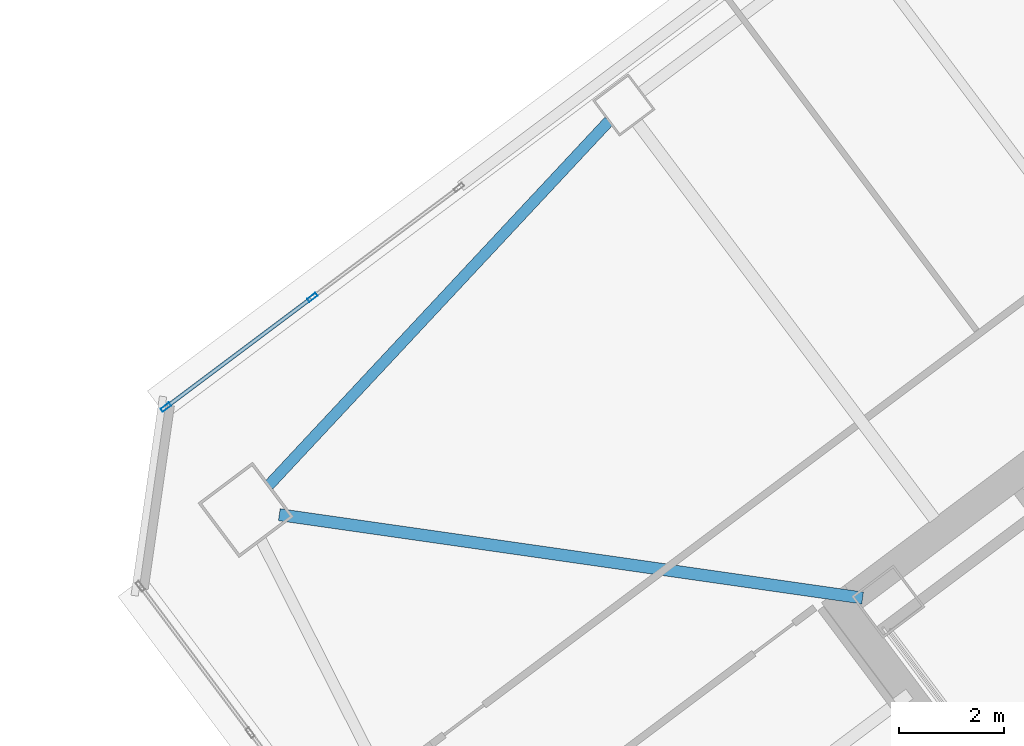
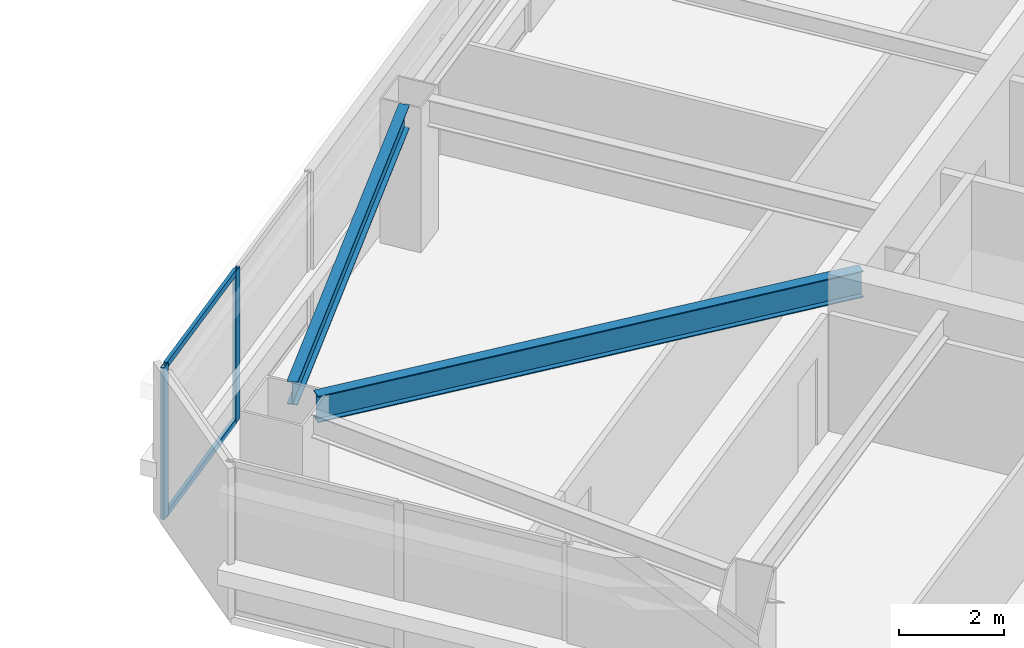
# One storey, part 21 of 44: 4 members, 2 beams, 1 element without a shape of its own.
"""IFC4 building model written with IfcOpenShell, lengths in metres."""

import ifcopenshell
import ifcopenshell.guid

model = None  # the IFC model being written
_history = None  # IfcOwnerHistory: only IFC2X3 demands one
_inside = {}  # id of a spatial element -> (the spatial element, [elements in it])
_under = {}  # id of a project, library or spatial element -> (it, [spatial elements below it])
_declared = {}  # id of a project -> (the project, [libraries it declares])
_typed = {}  # id of a type object -> (the type object, [elements of that type])
_made_of = {}  # id of a material, layer set ... -> (it, [elements and type objects made of it])


def new_model(schema):
    """Start an empty IFC model of exactly this schema.

    Asked for "IFC4X3", IfcOpenShell would pick the latest addendum, in which some entities
    have other attributes; the version numbers below select the first issue.
    IFC2X3 requires an IfcOwnerHistory on every rooted entity: one is made here for all.
    """
    global model, _history
    if schema == "IFC4X3":
        model = ifcopenshell.file(schema_version=(4, 3, 0, 0))
    else:
        model = ifcopenshell.file(schema=schema)
    _inside.clear()
    _under.clear()
    _declared.clear()
    _typed.clear()
    _made_of.clear()
    _history = None
    if model.schema == "IFC2X3":
        org = make("IfcOrganization", Name="unknown")
        user = make(
            "IfcPersonAndOrganization",
            ThePerson=make("IfcPerson", FamilyName="unknown"),
            TheOrganization=org,
        )
        app = make(
            "IfcApplication",
            ApplicationDeveloper=org,
            Version="unknown",
            ApplicationFullName="unknown",
            ApplicationIdentifier="unknown",
        )
        _history = make(
            "IfcOwnerHistory",
            OwningUser=user,
            OwningApplication=app,
            ChangeAction="ADDED",
            CreationDate=0,
        )
    return model


def make(cls, **values):
    """One entity of the class cls with the attributes given. An attribute that is None is left unset."""
    return model.create_entity(
        cls, **{name: value for name, value in values.items() if value is not None}
    )


def rooted(cls, **values):
    """An entity with a GlobalId (a new one), such as an element, a storey or a relation."""
    return make(cls, GlobalId=ifcopenshell.guid.new(), OwnerHistory=_history, **values)


def si_unit(unit_type, name, prefix=None):
    """IfcSIUnit, for example si_unit("LENGTHUNIT", "METRE", prefix="MILLI")."""
    return make("IfcSIUnit", UnitType=unit_type, Prefix=prefix, Name=name)


def assignment(units):
    """IfcUnitAssignment: the units of a project."""
    return None if units is None else make("IfcUnitAssignment", Units=units)


def point(xyz):
    """IfcCartesianPoint."""
    return None if xyz is None else make("IfcCartesianPoint", Coordinates=xyz)


def direction(xyz):
    """IfcDirection."""
    return None if xyz is None else make("IfcDirection", DirectionRatios=xyz)


def frame(location, z_axis=None, x_axis=None):
    """IfcAxis2Placement3D, a coordinate frame: its origin and axes. An axis left out is left unset."""
    return make(
        "IfcAxis2Placement3D",
        Location=point(location),
        Axis=direction(z_axis),
        RefDirection=direction(x_axis),
    )


def frame_2d(location, x_axis=None):
    """IfcAxis2Placement2D, a coordinate frame in the plane: its origin and x axis."""
    return make(
        "IfcAxis2Placement2D", Location=point(location), RefDirection=direction(x_axis)
    )


def origin():
    """The frame at (0, 0, 0) with its axes left unset."""
    return frame((0.0, 0.0, 0.0))


def origin_2d():
    """The frame at (0, 0) in the plane with its x axis left unset."""
    return frame_2d((0.0, 0.0))


def place(relative_to, where):
    """IfcLocalPlacement: puts the frame where relative to a parent placement (None: the world)."""
    return make(
        "IfcLocalPlacement", PlacementRelTo=relative_to, RelativePlacement=where
    )


def context(
    kind, dimensions, precision=None, world=None, true_north=None, identifier=None
):
    """IfcGeometricRepresentationContext, for example the 3D "Model" context."""
    return make(
        "IfcGeometricRepresentationContext",
        ContextIdentifier=identifier,
        ContextType=kind,
        CoordinateSpaceDimension=dimensions,
        Precision=precision,
        WorldCoordinateSystem=world,
        TrueNorth=true_north,
    )


def subcontext(parent, identifier, kind, view, scale=None):
    """IfcGeometricRepresentationSubContext, for example "Body" below "Model"."""
    return make(
        "IfcGeometricRepresentationSubContext",
        ContextIdentifier=identifier,
        ContextType=kind,
        ParentContext=parent,
        TargetScale=scale,
        TargetView=view,
    )


def project(units=None, contexts=None):
    """IfcProject with its units and contexts."""
    return rooted(
        "IfcProject",
        Name="project",
        RepresentationContexts=contexts,
        UnitsInContext=assignment(units),
    )


def spatial(cls, under=None, at=None, **own):
    """A site, building, storey or space (cls), placed at a placement, below another one or the project."""
    s = rooted(cls, ObjectPlacement=at, **own)
    if under is not None:
        _under.setdefault(under.id(), (under, []))[1].append(s)
    return s


def profile(cls, at=None, kind="AREA", **sizes):
    """A parametric profile (cls). Its sizes go by their IFC names, for example OverallWidth=200.0."""
    return make(cls, ProfileType=kind, Position=at, **sizes)


def hollow_rectangle(**sizes):
    """IfcRectangleHollowProfileDef."""
    return profile("IfcRectangleHollowProfileDef", **sizes)


def i_section(**sizes):
    """IfcIShapeProfileDef."""
    return profile("IfcIShapeProfileDef", **sizes)


def extrude(swept, where, along, depth):
    """IfcExtrudedAreaSolid: the profile swept, set in the frame where, extruded along a direction by depth."""
    return make(
        "IfcExtrudedAreaSolid",
        SweptArea=swept,
        Position=where,
        ExtrudedDirection=direction(along),
        Depth=depth,
    )


def shape(context_of_items, identifier, shape_type, items):
    """IfcShapeRepresentation: the items that make up one representation, for example the "Body"."""
    return make(
        "IfcShapeRepresentation",
        ContextOfItems=context_of_items,
        RepresentationIdentifier=identifier,
        RepresentationType=shape_type,
        Items=items,
    )


def material(Name=None, Category=None):
    """IfcMaterial."""
    return make("IfcMaterial", Name=Name, Category=Category)


def material_profile(
    of_material, cross_section, Name=None, Category=None, Priority=None
):
    """IfcMaterialProfile: a cross section and its material."""
    return make(
        "IfcMaterialProfile",
        Name=Name,
        Material=of_material,
        Profile=cross_section,
        Priority=Priority,
        Category=Category,
    )


def profile_set(profiles, Name=None, composite=None):
    """IfcMaterialProfileSet."""
    return make(
        "IfcMaterialProfileSet",
        Name=Name,
        MaterialProfiles=profiles,
        CompositeProfile=composite,
    )


def made_of(thing, what):
    """Note that an element or type object is made of a material, layer set ...; save() writes the relation."""
    if what is not None:
        _made_of.setdefault(what.id(), (what, []))[1].append(thing)
    return thing


def type_object(cls, material=None, **own):
    """A type object (cls), such as IfcWallType, which elements share."""
    return made_of(rooted(cls, **own), material)


def element(
    cls,
    number,
    at=None,
    inside=None,
    cuts=None,
    type_object=None,
    material=None,
    context=None,
    identifier="Body",
    shape_type=None,
    held_by="IfcProductDefinitionShape",
    body=None,
    shapes=None,
    **own,
):
    """One element of the class cls, such as IfcWall. Its Tag is "e" and its number.

    at: its placement. inside: the storey or other place that contains it. cuts: it is an
    opening in that element (IfcRelVoidsElement). A single representation is given by context,
    identifier, shape_type and body (its items); several are given by shapes. held_by: the class
    of the entity that holds the representations. save() writes the other relations.
    """
    e = rooted(cls, Tag="e%d" % number, ObjectPlacement=at, **own)
    if body is not None:
        shapes = [shape(context, identifier, shape_type, body)]
    if shapes is not None:
        e.Representation = make(held_by, Representations=shapes)
    if inside is not None:
        _inside.setdefault(inside.id(), (inside, []))[1].append(e)
    if cuts is not None:
        rooted(
            "IfcRelVoidsElement", RelatingBuildingElement=cuts, RelatedOpeningElement=e
        )
    if type_object is not None:
        _typed.setdefault(type_object.id(), (type_object, []))[1].append(e)
    return made_of(e, material)


def aggregate(whole, parts):
    """IfcRelAggregates: a whole, such as a stair, and the parts it consists of."""
    return rooted("IfcRelAggregates", RelatingObject=whole, RelatedObjects=parts)


def save(model, path):
    """Write the relations noted so far, then the file.

    IfcRelAggregates (storeys below a building ...), IfcRelContainedInSpatialStructure (elements
    in a storey), IfcRelDefinesByType, IfcRelAssociatesMaterial and IfcRelDeclares: one each for
    every whole, place, type object, material and project.
    """
    for whole, parts in _under.values():
        aggregate(whole, parts)
    for where, things in _inside.values():
        rooted(
            "IfcRelContainedInSpatialStructure",
            RelatedElements=things,
            RelatingStructure=where,
        )
    for kind, things in _typed.values():
        rooted("IfcRelDefinesByType", RelatedObjects=things, RelatingType=kind)
    for what, things in _made_of.values():
        rooted("IfcRelAssociatesMaterial", RelatedObjects=things, RelatingMaterial=what)
    for by, libraries in _declared.values():
        rooted("IfcRelDeclares", RelatingContext=by, RelatedDefinitions=libraries)
    model.write(path)


model = new_model("IFC4")

# Units and contexts
model_context = context("Model", 3, precision=1e-05, world=origin(), true_north=direction((0.0, 1.0)))
body_context = subcontext(model_context, "Body", "Model", "MODEL_VIEW")
ifc_project = project(units=[si_unit("LENGTHUNIT", "METRE"), si_unit("AREAUNIT", "SQUARE_METRE"), si_unit("VOLUMEUNIT", "CUBIC_METRE"), si_unit("PLANEANGLEUNIT", "RADIAN"), si_unit("MASSUNIT", "GRAM", prefix="KILO")], contexts=[model_context])

# Site, building, storey
site_placement = place(None, origin())
site = spatial("IfcSite", under=ifc_project, at=site_placement, CompositionType="ELEMENT")
building_placement = place(site_placement, origin())
building = spatial("IfcBuilding", under=site, at=building_placement, Name="Tashvorn Skyway Center", CompositionType="ELEMENT")
storey_placement = place(building_placement, frame((0.0, 0.0, 128.60009765625)))
storey = spatial("IfcBuildingStorey", under=building, at=storey_placement, Name="L34", CompositionType="ELEMENT", Elevation=128.60009765625)

# Beams
ifc_material_1 = material(Name="Steel ASTM A992 Grade 50", Category="steel")
ifc_material_profile_1 = material_profile(ifc_material_1, i_section(OverallWidth=0.22998046875, OverallDepth=0.616943359375, WebThickness=0.01318359375, FlangeThickness=0.022216796875, at=origin_2d()), Name="W24X94")
ifc_profile_set_1 = profile_set([ifc_material_profile_1], Name="Steel ASTM A992 Grade 50")
beam_type_1 = type_object("IfcBeamType", Name="BM-BEAM-W24X94", PredefinedType="BEAM", material=ifc_profile_set_1)
beam_1_placement = place(storey_placement, frame((92.5185546875, 35.06884765625, 3.0615234375), z_axis=(0.989948189712, -0.141430483583, 0.0), x_axis=(0.141430483583, 0.989948189712, 0.0)))
element("IfcBeam", 1, at=beam_1_placement, inside=storey, type_object=beam_type_1, Name="Tower 2 L34 Primary Floor Girder MC-NW", PredefinedType="BEAM", context=body_context, shape_type="SweptSolid", body=[
    extrude(i_section(OverallWidth=0.22998046875, OverallDepth=0.616943359375, WebThickness=0.01318359375, FlangeThickness=0.022216796875, at=origin_2d()), origin(), (0.0, 0.0, 1.0), 11.234375),
])
ifc_material_profile_2 = material_profile(ifc_material_1, i_section(OverallWidth=0.2109375, OverallDepth=0.5390625, WebThickness=0.01171875, FlangeThickness=0.018798828125, at=origin_2d()), Name="W21X73")
ifc_profile_set_2 = profile_set([ifc_material_profile_2], Name="Steel ASTM A992 Grade 50")
beam_type_2 = type_object("IfcBeamType", Name="BM-SPANDREL-W21X73", PredefinedType="SPANDREL", material=ifc_profile_set_2)
beam_2_placement = place(storey_placement, frame((98.80322265625, 42.572998046875, 3.100341796875), z_axis=(-0.682545341102, -0.730843250868, 0.0), x_axis=(0.730843250868, -0.682545341102, 0.0)))
element("IfcBeam", 2, at=beam_2_placement, inside=storey, type_object=beam_type_2, Name="Tower 2 L34 Spandrel Beam 09", PredefinedType="SPANDREL", context=body_context, shape_type="SweptSolid", body=[
    extrude(i_section(OverallWidth=0.2109375, OverallDepth=0.5390625, WebThickness=0.01171875, FlangeThickness=0.018798828125, at=origin_2d()), origin(), (0.0, 0.0, 1.0), 9.498046875),
])

# Curtain wall, members
ifc_material_2 = material(Name="Thermally broken bronze-anodized aluminium 6063-T6", Category="aluminium")
curtain_wall_type = type_object("IfcCurtainWallType", Name="CW-CW-Z3", PredefinedType="NOTDEFINED", material=ifc_material_2)
curtain_wall_placement = place(storey_placement, origin())
curtain_wall = element("IfcCurtainWall", 3, at=curtain_wall_placement, inside=storey, type_object=curtain_wall_type, Name="Tower 2 L34 North Unitised Curtain Wall Glazing Group 1", PredefinedType="NOTDEFINED")
ifc_material_profile_3 = material_profile(ifc_material_2, hollow_rectangle(XDim=0.074951171875, YDim=0.199951171875, WallThickness=0.00439453125, at=origin_2d()), Name="ALU-MULL-75x200")
ifc_profile_set_3 = profile_set([ifc_material_profile_3], Name="Thermally broken bronze-anodized aluminium 6063-T6")
member_type_1 = type_object("IfcMemberType", Name="CWM-CW-Z3", PredefinedType="MULLION", material=ifc_profile_set_3)
member_1_placement = place(storey_placement, frame((90.35791015625, 37.118408203125, 0.0), z_axis=(0.0, 0.0, 1.0), x_axis=(-0.600004533995, 0.799996599484, 0.0)))
member_1 = element("IfcMember", 4, at=member_1_placement, type_object=member_type_1, Name="CW-Z3 mullion 1", PredefinedType="MULLION", context=body_context, shape_type="SweptSolid", body=[
    extrude(hollow_rectangle(XDim=0.074951171875, YDim=0.199951171875, WallThickness=0.00439453125, at=origin_2d()), origin(), (0.0, 0.0, 1.0), 3.5498046875),
])
member_2_placement = place(storey_placement, frame((93.151123046875, 39.21337890625, 0.0), z_axis=(0.0, 0.0, 1.0), x_axis=(-0.600004533995, 0.799996599484, 0.0)))
member_2 = element("IfcMember", 5, at=member_2_placement, type_object=member_type_1, Name="CW-Z3 mullion 2", PredefinedType="MULLION", context=body_context, shape_type="SweptSolid", body=[
    extrude(hollow_rectangle(XDim=0.074951171875, YDim=0.199951171875, WallThickness=0.00439453125, at=origin_2d()), origin(), (0.0, 0.0, 1.0), 3.5498046875),
])
ifc_material_profile_4 = material_profile(ifc_material_2, hollow_rectangle(XDim=0.074951171875, YDim=0.139892578125, WallThickness=0.004150390625, at=origin_2d()), Name="ALU-TRAN-75x140")
ifc_profile_set_4 = profile_set([ifc_material_profile_4], Name="Thermally broken bronze-anodized aluminium 6063-T6")
member_type_2 = type_object("IfcMemberType", Name="CWT-CW-Z3", PredefinedType="USERDEFINED", material=ifc_profile_set_4)
member_3_placement = place(storey_placement, frame((90.387939453125, 37.14111328125, 0.037353515625), z_axis=(0.800008575267, 0.59998856614, 0.0), x_axis=(-0.59998856614, 0.800008575267, 0.0)))
member_3 = element("IfcMember", 6, at=member_3_placement, type_object=member_type_2, Name="CW-Z3 transom 1.1", ObjectType="TRANSOM", PredefinedType="USERDEFINED", context=body_context, shape_type="SweptSolid", body=[
    extrude(hollow_rectangle(XDim=0.074951171875, YDim=0.139892578125, WallThickness=0.004150390625, at=origin_2d()), origin(), (0.0, 0.0, 1.0), 3.41650390625),
])
member_4_placement = place(storey_placement, frame((90.387939453125, 37.14111328125, 3.512451171875), z_axis=(0.800008575267, 0.59998856614, 0.0), x_axis=(-0.59998856614, 0.800008575267, 0.0)))
member_4 = element("IfcMember", 7, at=member_4_placement, type_object=member_type_2, Name="CW-Z3 transom 1.2", ObjectType="TRANSOM", PredefinedType="USERDEFINED", context=body_context, shape_type="SweptSolid", body=[
    extrude(hollow_rectangle(XDim=0.074951171875, YDim=0.139892578125, WallThickness=0.004150390625, at=origin_2d()), origin(), (0.0, 0.0, 1.0), 3.41650390625),
])
aggregate(curtain_wall, [member_1, member_2, member_3, member_4])

save(model, "model.ifc")
